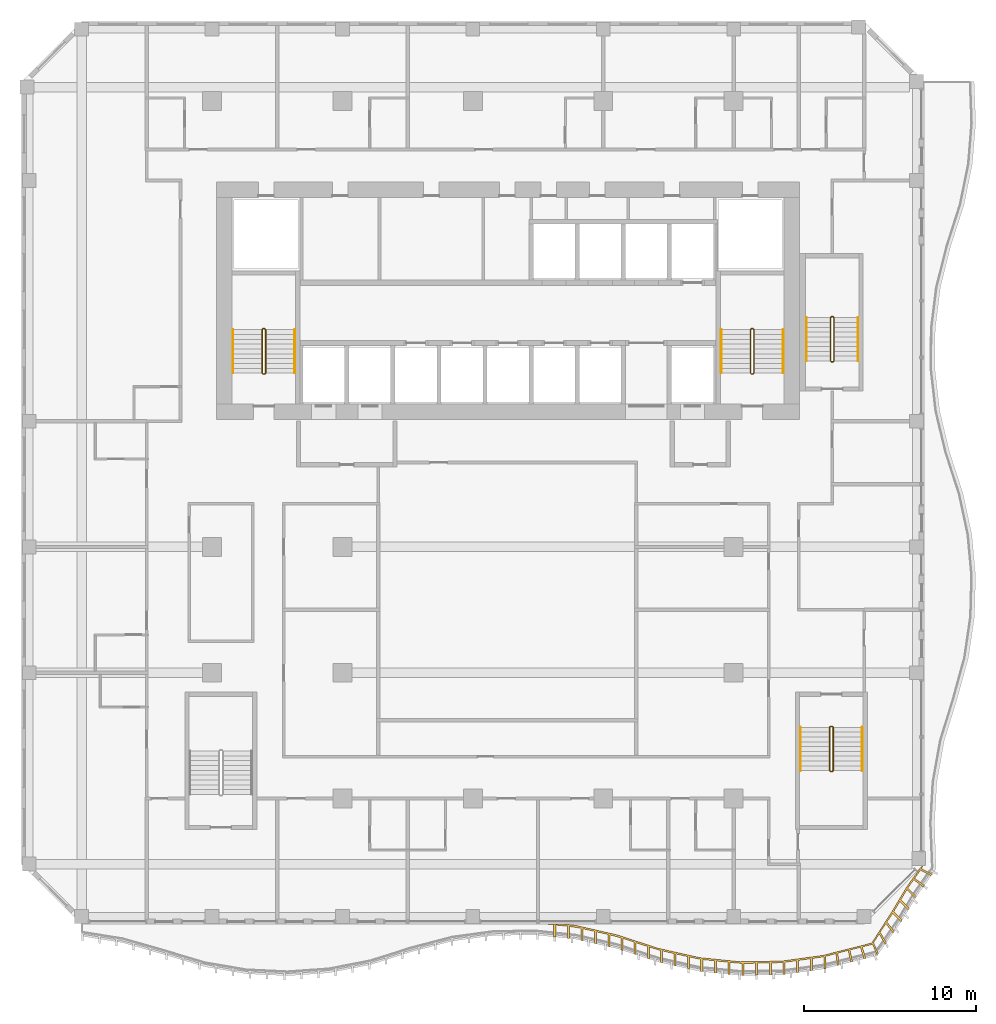
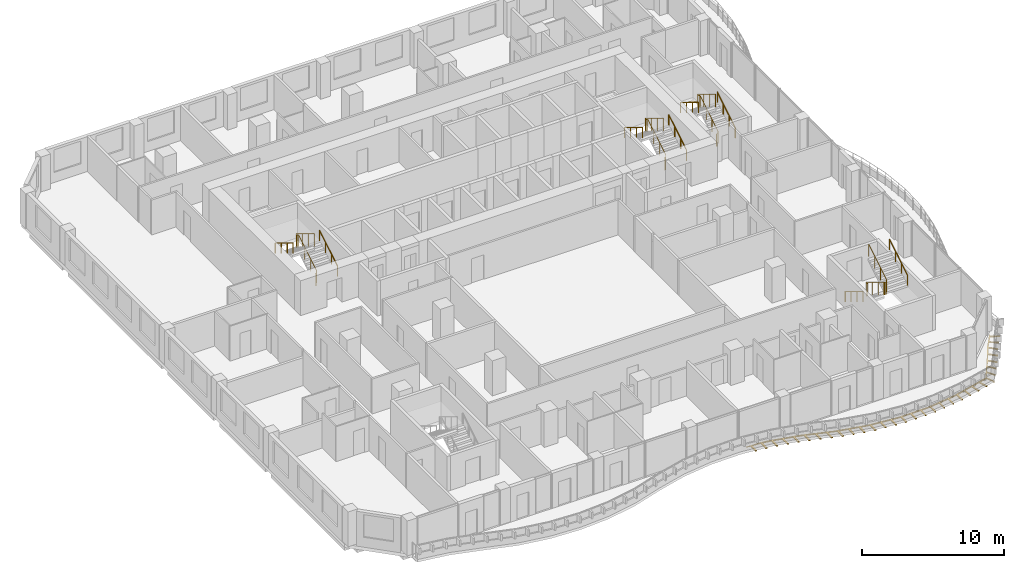
# One storey, part 23 of 23: 12 railings, 1 shading device.
"""IFC4 building model written with IfcOpenShell, lengths in metres."""

import ifcopenshell
import ifcopenshell.guid

model = None  # the IFC model being written
_history = None  # IfcOwnerHistory: only IFC2X3 demands one
_inside = {}  # id of a spatial element -> (the spatial element, [elements in it])
_under = {}  # id of a project, library or spatial element -> (it, [spatial elements below it])
_declared = {}  # id of a project -> (the project, [libraries it declares])
_typed = {}  # id of a type object -> (the type object, [elements of that type])
_made_of = {}  # id of a material, layer set ... -> (it, [elements and type objects made of it])


def new_model(schema):
    """Start an empty IFC model of exactly this schema.

    Asked for "IFC4X3", IfcOpenShell would pick the latest addendum, in which some entities
    have other attributes; the version numbers below select the first issue.
    IFC2X3 requires an IfcOwnerHistory on every rooted entity: one is made here for all.
    """
    global model, _history
    if schema == "IFC4X3":
        model = ifcopenshell.file(schema_version=(4, 3, 0, 0))
    else:
        model = ifcopenshell.file(schema=schema)
    _inside.clear()
    _under.clear()
    _declared.clear()
    _typed.clear()
    _made_of.clear()
    _history = None
    if model.schema == "IFC2X3":
        org = make("IfcOrganization", Name="unknown")
        user = make(
            "IfcPersonAndOrganization",
            ThePerson=make("IfcPerson", FamilyName="unknown"),
            TheOrganization=org,
        )
        app = make(
            "IfcApplication",
            ApplicationDeveloper=org,
            Version="unknown",
            ApplicationFullName="unknown",
            ApplicationIdentifier="unknown",
        )
        _history = make(
            "IfcOwnerHistory",
            OwningUser=user,
            OwningApplication=app,
            ChangeAction="ADDED",
            CreationDate=0,
        )
    return model


def make(cls, **values):
    """One entity of the class cls with the attributes given. An attribute that is None is left unset."""
    return model.create_entity(
        cls, **{name: value for name, value in values.items() if value is not None}
    )


def rooted(cls, **values):
    """An entity with a GlobalId (a new one), such as an element, a storey or a relation."""
    return make(cls, GlobalId=ifcopenshell.guid.new(), OwnerHistory=_history, **values)


def si_unit(unit_type, name, prefix=None):
    """IfcSIUnit, for example si_unit("LENGTHUNIT", "METRE", prefix="MILLI")."""
    return make("IfcSIUnit", UnitType=unit_type, Prefix=prefix, Name=name)


def assignment(units):
    """IfcUnitAssignment: the units of a project."""
    return None if units is None else make("IfcUnitAssignment", Units=units)


def point(xyz):
    """IfcCartesianPoint."""
    return None if xyz is None else make("IfcCartesianPoint", Coordinates=xyz)


def direction(xyz):
    """IfcDirection."""
    return None if xyz is None else make("IfcDirection", DirectionRatios=xyz)


def frame(location, z_axis=None, x_axis=None):
    """IfcAxis2Placement3D, a coordinate frame: its origin and axes. An axis left out is left unset."""
    return make(
        "IfcAxis2Placement3D",
        Location=point(location),
        Axis=direction(z_axis),
        RefDirection=direction(x_axis),
    )


def frame_2d(location, x_axis=None):
    """IfcAxis2Placement2D, a coordinate frame in the plane: its origin and x axis."""
    return make(
        "IfcAxis2Placement2D", Location=point(location), RefDirection=direction(x_axis)
    )


def origin():
    """The frame at (0, 0, 0) with its axes left unset."""
    return frame((0.0, 0.0, 0.0))


def origin_2d():
    """The frame at (0, 0) in the plane with its x axis left unset."""
    return frame_2d((0.0, 0.0))


def place(relative_to, where):
    """IfcLocalPlacement: puts the frame where relative to a parent placement (None: the world)."""
    return make(
        "IfcLocalPlacement", PlacementRelTo=relative_to, RelativePlacement=where
    )


def context(
    kind, dimensions, precision=None, world=None, true_north=None, identifier=None
):
    """IfcGeometricRepresentationContext, for example the 3D "Model" context."""
    return make(
        "IfcGeometricRepresentationContext",
        ContextIdentifier=identifier,
        ContextType=kind,
        CoordinateSpaceDimension=dimensions,
        Precision=precision,
        WorldCoordinateSystem=world,
        TrueNorth=true_north,
    )


def subcontext(parent, identifier, kind, view, scale=None):
    """IfcGeometricRepresentationSubContext, for example "Body" below "Model"."""
    return make(
        "IfcGeometricRepresentationSubContext",
        ContextIdentifier=identifier,
        ContextType=kind,
        ParentContext=parent,
        TargetScale=scale,
        TargetView=view,
    )


def project(units=None, contexts=None):
    """IfcProject with its units and contexts."""
    return rooted(
        "IfcProject",
        Name="project",
        RepresentationContexts=contexts,
        UnitsInContext=assignment(units),
    )


def spatial(cls, under=None, at=None, **own):
    """A site, building, storey or space (cls), placed at a placement, below another one or the project."""
    s = rooted(cls, ObjectPlacement=at, **own)
    if under is not None:
        _under.setdefault(under.id(), (under, []))[1].append(s)
    return s


def polyline(points):
    """IfcPolyline through the points."""
    return make("IfcPolyline", Points=[point(p) for p in points])


def profile(cls, at=None, kind="AREA", **sizes):
    """A parametric profile (cls). Its sizes go by their IFC names, for example OverallWidth=200.0."""
    return make(cls, ProfileType=kind, Position=at, **sizes)


def circle(**sizes):
    """IfcCircleProfileDef."""
    return profile("IfcCircleProfileDef", **sizes)


def outline(outer, holes=None, kind="AREA"):
    """IfcArbitraryClosedProfileDef: a profile drawn as a closed curve; with holes, ...WithVoids."""
    if holes is None:
        return make("IfcArbitraryClosedProfileDef", ProfileType=kind, OuterCurve=outer)
    return make(
        "IfcArbitraryProfileDefWithVoids",
        ProfileType=kind,
        OuterCurve=outer,
        InnerCurves=holes,
    )


def extrude(swept, where, along, depth):
    """IfcExtrudedAreaSolid: the profile swept, set in the frame where, extruded along a direction by depth."""
    return make(
        "IfcExtrudedAreaSolid",
        SweptArea=swept,
        Position=where,
        ExtrudedDirection=direction(along),
        Depth=depth,
    )


def shape(context_of_items, identifier, shape_type, items):
    """IfcShapeRepresentation: the items that make up one representation, for example the "Body"."""
    return make(
        "IfcShapeRepresentation",
        ContextOfItems=context_of_items,
        RepresentationIdentifier=identifier,
        RepresentationType=shape_type,
        Items=items,
    )


def source(mapping_origin, context_of_items, identifier, shape_type, items):
    """IfcRepresentationMap: a shape defined once, which mapped items show again and again."""
    return make(
        "IfcRepresentationMap",
        MappingOrigin=mapping_origin,
        MappedRepresentation=shape(context_of_items, identifier, shape_type, items),
    )


def transform(
    local_origin,
    x_axis=None,
    y_axis=None,
    z_axis=None,
    scale=None,
    scale2=None,
    scale3=None,
    uniform=True,
):
    """IfcCartesianTransformationOperator3D, or its non-uniform kind. x_axis, y_axis, z_axis: its Axis1, 2, 3."""
    if uniform:
        return make(
            "IfcCartesianTransformationOperator3D",
            Axis1=direction(x_axis),
            Axis2=direction(y_axis),
            LocalOrigin=point(local_origin),
            Scale=scale,
            Axis3=direction(z_axis),
        )
    return make(
        "IfcCartesianTransformationOperator3DnonUniform",
        Axis1=direction(x_axis),
        Axis2=direction(y_axis),
        LocalOrigin=point(local_origin),
        Scale=scale,
        Axis3=direction(z_axis),
        Scale2=scale2,
        Scale3=scale3,
    )


def mapped(mapping_source, mapping_target):
    """IfcMappedItem: shows the shape of a source again, moved by a transform."""
    return make(
        "IfcMappedItem", MappingSource=mapping_source, MappingTarget=mapping_target
    )


def material(Name=None, Category=None):
    """IfcMaterial."""
    return make("IfcMaterial", Name=Name, Category=Category)


def layer(
    of_material, thickness, ventilated=None, Name=None, Category=None, Priority=None
):
    """IfcMaterialLayer: one layer of a wall or slab, of a material (None: an air gap)."""
    return make(
        "IfcMaterialLayer",
        Material=of_material,
        LayerThickness=thickness,
        IsVentilated=ventilated,
        Name=Name,
        Category=Category,
        Priority=Priority,
    )


def layer_set(layers, Name=None):
    """IfcMaterialLayerSet."""
    return make("IfcMaterialLayerSet", MaterialLayers=layers, LayerSetName=Name)


def made_of(thing, what):
    """Note that an element or type object is made of a material, layer set ...; save() writes the relation."""
    if what is not None:
        _made_of.setdefault(what.id(), (what, []))[1].append(thing)
    return thing


def type_object(cls, material=None, **own):
    """A type object (cls), such as IfcWallType, which elements share."""
    return made_of(rooted(cls, **own), material)


def element(
    cls,
    number,
    at=None,
    inside=None,
    cuts=None,
    type_object=None,
    material=None,
    context=None,
    identifier="Body",
    shape_type=None,
    held_by="IfcProductDefinitionShape",
    body=None,
    shapes=None,
    **own,
):
    """One element of the class cls, such as IfcWall. Its Tag is "e" and its number.

    at: its placement. inside: the storey or other place that contains it. cuts: it is an
    opening in that element (IfcRelVoidsElement). A single representation is given by context,
    identifier, shape_type and body (its items); several are given by shapes. held_by: the class
    of the entity that holds the representations. save() writes the other relations.
    """
    e = rooted(cls, Tag="e%d" % number, ObjectPlacement=at, **own)
    if body is not None:
        shapes = [shape(context, identifier, shape_type, body)]
    if shapes is not None:
        e.Representation = make(held_by, Representations=shapes)
    if inside is not None:
        _inside.setdefault(inside.id(), (inside, []))[1].append(e)
    if cuts is not None:
        rooted(
            "IfcRelVoidsElement", RelatingBuildingElement=cuts, RelatedOpeningElement=e
        )
    if type_object is not None:
        _typed.setdefault(type_object.id(), (type_object, []))[1].append(e)
    return made_of(e, material)


def aggregate(whole, parts):
    """IfcRelAggregates: a whole, such as a stair, and the parts it consists of."""
    return rooted("IfcRelAggregates", RelatingObject=whole, RelatedObjects=parts)


def save(model, path):
    """Write the relations noted so far, then the file.

    IfcRelAggregates (storeys below a building ...), IfcRelContainedInSpatialStructure (elements
    in a storey), IfcRelDefinesByType, IfcRelAssociatesMaterial and IfcRelDeclares: one each for
    every whole, place, type object, material and project.
    """
    for whole, parts in _under.values():
        aggregate(whole, parts)
    for where, things in _inside.values():
        rooted(
            "IfcRelContainedInSpatialStructure",
            RelatedElements=things,
            RelatingStructure=where,
        )
    for kind, things in _typed.values():
        rooted("IfcRelDefinesByType", RelatedObjects=things, RelatingType=kind)
    for what, things in _made_of.values():
        rooted("IfcRelAssociatesMaterial", RelatedObjects=things, RelatingMaterial=what)
    for by, libraries in _declared.values():
        rooted("IfcRelDeclares", RelatingContext=by, RelatedDefinitions=libraries)
    model.write(path)


model = new_model("IFC4")

# Units and contexts
model_context = context("Model", 3, precision=1e-05, world=origin(), true_north=direction((0.0, 1.0)))
body_context = subcontext(model_context, "Body", "Model", "MODEL_VIEW")
ifc_project = project(units=[si_unit("LENGTHUNIT", "METRE"), si_unit("AREAUNIT", "SQUARE_METRE"), si_unit("VOLUMEUNIT", "CUBIC_METRE"), si_unit("PLANEANGLEUNIT", "RADIAN"), si_unit("MASSUNIT", "GRAM", prefix="KILO")], contexts=[model_context])

# Site, building, storey
site_placement = place(None, origin())
site = spatial("IfcSite", under=ifc_project, at=site_placement, CompositionType="ELEMENT")
building_placement = place(site_placement, origin())
building = spatial("IfcBuilding", under=site, at=building_placement, Name="Kilnfold Tower and Market Hall", CompositionType="ELEMENT")
storey_placement = place(building_placement, frame((0.0, 0.0, 160.89990234375)))
storey = spatial("IfcBuildingStorey", under=building, at=storey_placement, Name="L37", CompositionType="ELEMENT", Elevation=160.89990234375)

# Railings
ifc_material_1 = material(Name="Stainless steel 316", Category="steel")
railing_type_1 = type_object("IfcRailingType", Name="CORE STAIR GUARD 1100", PredefinedType="GUARDRAIL", material=ifc_material_1)
railing_1_placement = place(storey_placement, frame((-13.199951171875, 10.75, 0.0)))
element("IfcRailing", 1, at=railing_1_placement, inside=storey, type_object=railing_type_1, Name="L37 ST1 stair guard 1", PredefinedType="GUARDRAIL", context=body_context, shape_type="SweptSolid", body=[
    extrude(circle(Radius=0.02392578125, at=origin_2d()), frame((0.0, 0.0, 1.076171875), z_axis=(1.0, 0.0, 0.0), x_axis=(0.0, 1.0, 0.0)), (0.0, 0.0, 1.0), 0.099853515625),
    extrude(circle(Radius=0.02392578125, at=origin_2d()), frame((0.099853515625, 0.0, 1.076171875), z_axis=(0.271562723297, 0.271562723297, 0.923313259209), x_axis=(-0.707106781187, 0.707106781187, 0.0)), (0.0, 0.0, 1.0), 0.184326171875),
    extrude(circle(Radius=0.02392578125, at=origin_2d()), frame((0.14990234375, 0.050048828125, 1.24609375), z_axis=(0.0, 0.85478489116, 0.518982456201), x_axis=(-1.0, 0.0, 0.0)), (0.0, 0.0, 1.0), 2.9482421875),
    extrude(circle(Radius=0.02392578125, at=origin_2d()), frame((0.14990234375, 2.570068359375, 2.7763671875), z_axis=(-0.707106781187, 0.707106781187, 0.0), x_axis=(-0.707106781187, -0.707106781187, 0.0)), (0.0, 0.0, 1.0), 0.07080078125),
    extrude(circle(Radius=0.02392578125, at=origin_2d()), frame((0.099853515625, 2.6201171875, 2.7763671875), z_axis=(-1.0, 0.0, 0.0), x_axis=(0.0, -1.0, 0.0)), (0.0, 0.0, 1.0), 0.099853515625),
    extrude(circle(Radius=0.02392578125, at=origin_2d()), frame((0.0, 2.6201171875, 2.7763671875), z_axis=(-0.271895245746, -0.271895245746, 0.923117517265), x_axis=(0.707106781187, -0.707106781187, 0.0)), (0.0, 0.0, 1.0), 0.18408203125),
    extrude(circle(Radius=0.02392578125, at=origin_2d()), frame((-0.050048828125, 2.570068359375, 2.9462890625), z_axis=(0.0, -0.85478489116, 0.518982456201), x_axis=(1.0, 0.0, 0.0)), (0.0, 0.0, 1.0), 2.9482421875),
    extrude(circle(Radius=0.02099609375, at=origin_2d()), origin(), (0.0, 0.0, 1.0), 1.052001953125),
    extrude(circle(Radius=0.02099609375, at=origin_2d()), frame((0.099853515625, 0.0, 0.0)), (0.0, 0.0, 1.0), 1.052001953125),
    extrude(circle(Radius=0.02099609375, at=origin_2d()), frame((0.14990234375, 0.050048828125, 0.170166015625)), (0.0, 0.0, 1.0), 1.052001953125),
    extrude(circle(Radius=0.02099609375, at=origin_2d()), frame((0.14990234375, 0.89013671875, 0.68017578125)), (0.0, 0.0, 1.0), 1.052001953125),
    extrude(circle(Radius=0.02099609375, at=origin_2d()), frame((0.14990234375, 1.72998046875, 1.190185546875)), (0.0, 0.0, 1.0), 1.052001953125),
    extrude(circle(Radius=0.02099609375, at=origin_2d()), frame((0.14990234375, 2.570068359375, 1.7001953125)), (0.0, 0.0, 1.0), 1.052001953125),
    extrude(circle(Radius=0.02099609375, at=origin_2d()), frame((0.099853515625, 2.6201171875, 1.7001953125)), (0.0, 0.0, 1.0), 1.052001953125),
    extrude(circle(Radius=0.02099609375, at=origin_2d()), frame((0.0, 2.6201171875, 1.7001953125)), (0.0, 0.0, 1.0), 1.052001953125),
    extrude(circle(Radius=0.02099609375, at=origin_2d()), frame((-0.050048828125, 2.570068359375, 1.8701171875)), (0.0, 0.0, 1.0), 1.052001953125),
    extrude(circle(Radius=0.02099609375, at=origin_2d()), frame((-0.050048828125, 1.72998046875, 2.380126953125)), (0.0, 0.0, 1.0), 1.052001953125),
    extrude(circle(Radius=0.02099609375, at=origin_2d()), frame((-0.050048828125, 0.89013671875, 2.89013671875)), (0.0, 0.0, 1.0), 1.052001953125),
    extrude(circle(Radius=0.02099609375, at=origin_2d()), frame((-0.050048828125, 0.050048828125, 3.400146484375)), (0.0, 0.0, 1.0), 1.052001953125),
])
railing_2_placement = place(storey_placement, frame((15.199951171875, 10.75, 0.0)))
element("IfcRailing", 2, at=railing_2_placement, inside=storey, type_object=railing_type_1, Name="L37 ST2 stair guard 1", PredefinedType="GUARDRAIL", context=body_context, shape_type="SweptSolid", body=[
    extrude(circle(Radius=0.02392578125, at=origin_2d()), frame((0.0, 0.0, 1.076171875), z_axis=(1.0, 0.0, 0.0), x_axis=(0.0, 1.0, 0.0)), (0.0, 0.0, 1.0), 0.10009765625),
    extrude(circle(Radius=0.02392578125, at=origin_2d()), frame((0.10009765625, 0.0, 1.076171875), z_axis=(0.271562723297, 0.271562723297, 0.923313259209), x_axis=(-0.707106781187, 0.707106781187, 0.0)), (0.0, 0.0, 1.0), 0.184326171875),
    extrude(circle(Radius=0.02392578125, at=origin_2d()), frame((0.150146484375, 0.050048828125, 1.24609375), z_axis=(0.0, 0.85478489116, 0.518982456201), x_axis=(-1.0, 0.0, 0.0)), (0.0, 0.0, 1.0), 2.9482421875),
    extrude(circle(Radius=0.02392578125, at=origin_2d()), frame((0.150146484375, 2.570068359375, 2.7763671875), z_axis=(-0.707106781187, 0.707106781187, 0.0), x_axis=(-0.707106781187, -0.707106781187, 0.0)), (0.0, 0.0, 1.0), 0.07080078125),
    extrude(circle(Radius=0.02392578125, at=origin_2d()), frame((0.10009765625, 2.6201171875, 2.7763671875), z_axis=(-1.0, 0.0, 0.0), x_axis=(0.0, -1.0, 0.0)), (0.0, 0.0, 1.0), 0.10009765625),
    extrude(circle(Radius=0.02392578125, at=origin_2d()), frame((0.0, 2.6201171875, 2.7763671875), z_axis=(-0.271895245746, -0.271895245746, 0.923117517265), x_axis=(0.707106781187, -0.707106781187, 0.0)), (0.0, 0.0, 1.0), 0.18408203125),
    extrude(circle(Radius=0.02392578125, at=origin_2d()), frame((-0.050048828125, 2.570068359375, 2.9462890625), z_axis=(0.0, -0.85478489116, 0.518982456201), x_axis=(1.0, 0.0, 0.0)), (0.0, 0.0, 1.0), 2.9482421875),
    extrude(circle(Radius=0.02099609375, at=origin_2d()), origin(), (0.0, 0.0, 1.0), 1.052001953125),
    extrude(circle(Radius=0.02099609375, at=origin_2d()), frame((0.10009765625, 0.0, 0.0)), (0.0, 0.0, 1.0), 1.052001953125),
    extrude(circle(Radius=0.02099609375, at=origin_2d()), frame((0.150146484375, 0.050048828125, 0.170166015625)), (0.0, 0.0, 1.0), 1.052001953125),
    extrude(circle(Radius=0.02099609375, at=origin_2d()), frame((0.150146484375, 0.89013671875, 0.68017578125)), (0.0, 0.0, 1.0), 1.052001953125),
    extrude(circle(Radius=0.02099609375, at=origin_2d()), frame((0.150146484375, 1.72998046875, 1.190185546875)), (0.0, 0.0, 1.0), 1.052001953125),
    extrude(circle(Radius=0.02099609375, at=origin_2d()), frame((0.150146484375, 2.570068359375, 1.7001953125)), (0.0, 0.0, 1.0), 1.052001953125),
    extrude(circle(Radius=0.02099609375, at=origin_2d()), frame((0.10009765625, 2.6201171875, 1.7001953125)), (0.0, 0.0, 1.0), 1.052001953125),
    extrude(circle(Radius=0.02099609375, at=origin_2d()), frame((0.0, 2.6201171875, 1.7001953125)), (0.0, 0.0, 1.0), 1.052001953125),
    extrude(circle(Radius=0.02099609375, at=origin_2d()), frame((-0.050048828125, 2.570068359375, 1.8701171875)), (0.0, 0.0, 1.0), 1.052001953125),
    extrude(circle(Radius=0.02099609375, at=origin_2d()), frame((-0.050048828125, 1.72998046875, 2.380126953125)), (0.0, 0.0, 1.0), 1.052001953125),
    extrude(circle(Radius=0.02099609375, at=origin_2d()), frame((-0.050048828125, 0.89013671875, 2.89013671875)), (0.0, 0.0, 1.0), 1.052001953125),
    extrude(circle(Radius=0.02099609375, at=origin_2d()), frame((-0.050048828125, 0.050048828125, 3.400146484375)), (0.0, 0.0, 1.0), 1.052001953125),
])
railing_3_placement = place(storey_placement, frame((19.89990234375, -9.75, 0.0)))
element("IfcRailing", 3, at=railing_3_placement, inside=storey, type_object=railing_type_1, Name="L37 ST4 stair guard 1", PredefinedType="GUARDRAIL", context=body_context, shape_type="SweptSolid", body=[
    extrude(circle(Radius=0.02392578125, at=origin_2d()), frame((0.0, 0.0, 1.076171875), z_axis=(-1.0, 0.0, 0.0), x_axis=(0.0, -1.0, 0.0)), (0.0, 0.0, 1.0), 0.099853515625),
    extrude(circle(Radius=0.02392578125, at=origin_2d()), frame((-0.099853515625, 0.0, 1.076171875), z_axis=(-0.271562723297, -0.271562723297, 0.923313259209), x_axis=(0.707106781187, -0.707106781187, 0.0)), (0.0, 0.0, 1.0), 0.184326171875),
    extrude(circle(Radius=0.02392578125, at=origin_2d()), frame((-0.14990234375, -0.050048828125, 1.24609375), z_axis=(0.0, -0.85478489116, 0.518982456201), x_axis=(1.0, 0.0, 0.0)), (0.0, 0.0, 1.0), 2.9482421875),
    extrude(circle(Radius=0.02392578125, at=origin_2d()), frame((-0.14990234375, -2.570068359375, 2.7763671875), z_axis=(0.707106781187, -0.707106781187, 0.0), x_axis=(0.707106781187, 0.707106781187, 0.0)), (0.0, 0.0, 1.0), 0.07080078125),
    extrude(circle(Radius=0.02392578125, at=origin_2d()), frame((-0.099853515625, -2.6201171875, 2.7763671875), z_axis=(1.0, 0.0, 0.0), x_axis=(0.0, 1.0, 0.0)), (0.0, 0.0, 1.0), 0.099853515625),
    extrude(circle(Radius=0.02392578125, at=origin_2d()), frame((0.0, -2.6201171875, 2.7763671875), z_axis=(0.271895245746, 0.271895245746, 0.923117517265), x_axis=(-0.707106781187, 0.707106781187, 0.0)), (0.0, 0.0, 1.0), 0.18408203125),
    extrude(circle(Radius=0.02392578125, at=origin_2d()), frame((0.050048828125, -2.570068359375, 2.9462890625), z_axis=(0.0, 0.85478489116, 0.518982456201), x_axis=(-1.0, 0.0, 0.0)), (0.0, 0.0, 1.0), 2.9482421875),
    extrude(circle(Radius=0.02099609375, at=origin_2d()), origin(), (0.0, 0.0, 1.0), 1.052001953125),
    extrude(circle(Radius=0.02099609375, at=origin_2d()), frame((-0.099853515625, 0.0, 0.0)), (0.0, 0.0, 1.0), 1.052001953125),
    extrude(circle(Radius=0.02099609375, at=origin_2d()), frame((-0.14990234375, -0.050048828125, 0.170166015625)), (0.0, 0.0, 1.0), 1.052001953125),
    extrude(circle(Radius=0.02099609375, at=origin_2d()), frame((-0.14990234375, -0.89013671875, 0.68017578125)), (0.0, 0.0, 1.0), 1.052001953125),
    extrude(circle(Radius=0.02099609375, at=origin_2d()), frame((-0.14990234375, -1.72998046875, 1.190185546875)), (0.0, 0.0, 1.0), 1.052001953125),
    extrude(circle(Radius=0.02099609375, at=origin_2d()), frame((-0.14990234375, -2.570068359375, 1.7001953125)), (0.0, 0.0, 1.0), 1.052001953125),
    extrude(circle(Radius=0.02099609375, at=origin_2d()), frame((-0.099853515625, -2.6201171875, 1.7001953125)), (0.0, 0.0, 1.0), 1.052001953125),
    extrude(circle(Radius=0.02099609375, at=origin_2d()), frame((0.0, -2.6201171875, 1.7001953125)), (0.0, 0.0, 1.0), 1.052001953125),
    extrude(circle(Radius=0.02099609375, at=origin_2d()), frame((0.050048828125, -2.570068359375, 1.8701171875)), (0.0, 0.0, 1.0), 1.052001953125),
    extrude(circle(Radius=0.02099609375, at=origin_2d()), frame((0.050048828125, -1.72998046875, 2.380126953125)), (0.0, 0.0, 1.0), 1.052001953125),
    extrude(circle(Radius=0.02099609375, at=origin_2d()), frame((0.050048828125, -0.89013671875, 2.89013671875)), (0.0, 0.0, 1.0), 1.052001953125),
    extrude(circle(Radius=0.02099609375, at=origin_2d()), frame((0.050048828125, -0.050048828125, 3.400146484375)), (0.0, 0.0, 1.0), 1.052001953125),
])
railing_4_placement = place(storey_placement, frame((19.85009765625, 11.449951171875, 0.0)))
element("IfcRailing", 4, at=railing_4_placement, inside=storey, type_object=railing_type_1, Name="L37 ST5 stair guard 1", PredefinedType="GUARDRAIL", context=body_context, shape_type="SweptSolid", body=[
    extrude(circle(Radius=0.02392578125, at=origin_2d()), frame((0.0, 0.0, 1.076171875), z_axis=(1.0, 0.0, 0.0), x_axis=(0.0, 1.0, 0.0)), (0.0, 0.0, 1.0), 0.099853515625),
    extrude(circle(Radius=0.02392578125, at=origin_2d()), frame((0.099853515625, 0.0, 1.076171875), z_axis=(0.271562723297, 0.271562723297, 0.923313259209), x_axis=(-0.707106781187, 0.707106781187, 0.0)), (0.0, 0.0, 1.0), 0.184326171875),
    extrude(circle(Radius=0.02392578125, at=origin_2d()), frame((0.14990234375, 0.050048828125, 1.24609375), z_axis=(0.0, 0.85478489116, 0.518982456201), x_axis=(-1.0, 0.0, 0.0)), (0.0, 0.0, 1.0), 2.9482421875),
    extrude(circle(Radius=0.02392578125, at=origin_2d()), frame((0.14990234375, 2.570068359375, 2.7763671875), z_axis=(-0.707106781187, 0.707106781187, 0.0), x_axis=(-0.707106781187, -0.707106781187, 0.0)), (0.0, 0.0, 1.0), 0.07080078125),
    extrude(circle(Radius=0.02392578125, at=origin_2d()), frame((0.099853515625, 2.6201171875, 2.7763671875), z_axis=(-1.0, 0.0, 0.0), x_axis=(0.0, -1.0, 0.0)), (0.0, 0.0, 1.0), 0.099853515625),
    extrude(circle(Radius=0.02392578125, at=origin_2d()), frame((0.0, 2.6201171875, 2.7763671875), z_axis=(-0.271895245746, -0.271895245746, 0.923117517265), x_axis=(0.707106781187, -0.707106781187, 0.0)), (0.0, 0.0, 1.0), 0.18408203125),
    extrude(circle(Radius=0.02392578125, at=origin_2d()), frame((-0.050048828125, 2.570068359375, 2.9462890625), z_axis=(0.0, -0.85478489116, 0.518982456201), x_axis=(1.0, 0.0, 0.0)), (0.0, 0.0, 1.0), 2.9482421875),
    extrude(circle(Radius=0.02099609375, at=origin_2d()), origin(), (0.0, 0.0, 1.0), 1.052001953125),
    extrude(circle(Radius=0.02099609375, at=origin_2d()), frame((0.099853515625, 0.0, 0.0)), (0.0, 0.0, 1.0), 1.052001953125),
    extrude(circle(Radius=0.02099609375, at=origin_2d()), frame((0.14990234375, 0.050048828125, 0.170166015625)), (0.0, 0.0, 1.0), 1.052001953125),
    extrude(circle(Radius=0.02099609375, at=origin_2d()), frame((0.14990234375, 0.89013671875, 0.68017578125)), (0.0, 0.0, 1.0), 1.052001953125),
    extrude(circle(Radius=0.02099609375, at=origin_2d()), frame((0.14990234375, 1.72998046875, 1.190185546875)), (0.0, 0.0, 1.0), 1.052001953125),
    extrude(circle(Radius=0.02099609375, at=origin_2d()), frame((0.14990234375, 2.570068359375, 1.7001953125)), (0.0, 0.0, 1.0), 1.052001953125),
    extrude(circle(Radius=0.02099609375, at=origin_2d()), frame((0.099853515625, 2.6201171875, 1.7001953125)), (0.0, 0.0, 1.0), 1.052001953125),
    extrude(circle(Radius=0.02099609375, at=origin_2d()), frame((0.0, 2.6201171875, 1.7001953125)), (0.0, 0.0, 1.0), 1.052001953125),
    extrude(circle(Radius=0.02099609375, at=origin_2d()), frame((-0.050048828125, 2.570068359375, 1.8701171875)), (0.0, 0.0, 1.0), 1.052001953125),
    extrude(circle(Radius=0.02099609375, at=origin_2d()), frame((-0.050048828125, 1.72998046875, 2.380126953125)), (0.0, 0.0, 1.0), 1.052001953125),
    extrude(circle(Radius=0.02099609375, at=origin_2d()), frame((-0.050048828125, 0.89013671875, 2.89013671875)), (0.0, 0.0, 1.0), 1.052001953125),
    extrude(circle(Radius=0.02099609375, at=origin_2d()), frame((-0.050048828125, 0.050048828125, 3.400146484375)), (0.0, 0.0, 1.0), 1.052001953125),
])
ifc_material_2 = material(Name="Stainless steel 316", Category="steel")
railing_type_2 = type_object("IfcRailingType", Name="CORE STAIR HANDRAIL 900", PredefinedType="HANDRAIL", material=ifc_material_2)
railing_5_placement = place(storey_placement, frame((-11.35009765625, 10.800048828125, 0.170166015625)))
element("IfcRailing", 5, at=railing_5_placement, inside=storey, type_object=railing_type_2, Name="L37 ST1 stair handrail 1", PredefinedType="HANDRAIL", context=body_context, shape_type="SweptSolid", body=[
    extrude(circle(Radius=0.02392578125, at=origin_2d()), frame((0.0, 0.0, 0.8759765625), z_axis=(0.0, 0.85478489116, 0.518982456201), x_axis=(-1.0, 0.0, 0.0)), (0.0, 0.0, 1.0), 2.9482421875),
    extrude(circle(Radius=0.02099609375, at=origin_2d()), origin(), (0.0, 0.0, 1.0), 0.851806640625),
    extrude(circle(Radius=0.02099609375, at=origin_2d()), frame((0.0, 0.840087890625, 0.510009765625)), (0.0, 0.0, 1.0), 0.851806640625),
    extrude(circle(Radius=0.02099609375, at=origin_2d()), frame((0.0, 1.679931640625, 1.02001953125)), (0.0, 0.0, 1.0), 0.851806640625),
    extrude(circle(Radius=0.02099609375, at=origin_2d()), frame((0.0, 2.52001953125, 1.530029296875)), (0.0, 0.0, 1.0), 0.851806640625),
])
railing_6_placement = place(storey_placement, frame((-14.949951171875, 13.320068359375, 1.8701171875)))
element("IfcRailing", 6, at=railing_6_placement, inside=storey, type_object=railing_type_2, Name="L37 ST1 stair handrail 2", PredefinedType="HANDRAIL", context=body_context, shape_type="SweptSolid", body=[
    extrude(circle(Radius=0.02392578125, at=origin_2d()), frame((0.0, 0.0, 0.8759765625), z_axis=(0.0, -0.85478489116, 0.518982456201), x_axis=(1.0, 0.0, 0.0)), (0.0, 0.0, 1.0), 2.9482421875),
    extrude(circle(Radius=0.02099609375, at=origin_2d()), origin(), (0.0, 0.0, 1.0), 0.851806640625),
    extrude(circle(Radius=0.02099609375, at=origin_2d()), frame((0.0, -0.840087890625, 0.510009765625)), (0.0, 0.0, 1.0), 0.851806640625),
    extrude(circle(Radius=0.02099609375, at=origin_2d()), frame((0.0, -1.679931640625, 1.02001953125)), (0.0, 0.0, 1.0), 0.851806640625),
    extrude(circle(Radius=0.02099609375, at=origin_2d()), frame((0.0, -2.52001953125, 1.530029296875)), (0.0, 0.0, 1.0), 0.851806640625),
])
railing_7_placement = place(storey_placement, frame((17.050048828125, 10.800048828125, 0.170166015625)))
element("IfcRailing", 7, at=railing_7_placement, inside=storey, type_object=railing_type_2, Name="L37 ST2 stair handrail 1", PredefinedType="HANDRAIL", context=body_context, shape_type="SweptSolid", body=[
    extrude(circle(Radius=0.02392578125, at=origin_2d()), frame((0.0, 0.0, 0.8759765625), z_axis=(0.0, 0.85478489116, 0.518982456201), x_axis=(-1.0, 0.0, 0.0)), (0.0, 0.0, 1.0), 2.9482421875),
    extrude(circle(Radius=0.02099609375, at=origin_2d()), origin(), (0.0, 0.0, 1.0), 0.851806640625),
    extrude(circle(Radius=0.02099609375, at=origin_2d()), frame((0.0, 0.840087890625, 0.510009765625)), (0.0, 0.0, 1.0), 0.851806640625),
    extrude(circle(Radius=0.02099609375, at=origin_2d()), frame((0.0, 1.679931640625, 1.02001953125)), (0.0, 0.0, 1.0), 0.851806640625),
    extrude(circle(Radius=0.02099609375, at=origin_2d()), frame((0.0, 2.52001953125, 1.530029296875)), (0.0, 0.0, 1.0), 0.851806640625),
])
for number, where, name in (
    (8, (13.449951171875, 13.320068359375, 1.8701171875), "L37 ST2 stair handrail 2"),
    (9, (18.050048828125, -9.800048828125, 0.170166015625), "L37 ST4 stair handrail 1"),
):
    element("IfcRailing", number, at=place(storey_placement, frame(where)), inside=storey, type_object=railing_type_2, Name=name, PredefinedType="HANDRAIL", context=body_context, shape_type="SweptSolid", body=[
        extrude(circle(Radius=0.02392578125, at=origin_2d()), frame((0.0, 0.0, 0.8759765625), z_axis=(0.0, -0.85478489116, 0.518982456201), x_axis=(1.0, 0.0, 0.0)), (0.0, 0.0, 1.0), 2.9482421875),
        extrude(circle(Radius=0.02099609375, at=origin_2d()), origin(), (0.0, 0.0, 1.0), 0.851806640625),
        extrude(circle(Radius=0.02099609375, at=origin_2d()), frame((0.0, -0.840087890625, 0.510009765625)), (0.0, 0.0, 1.0), 0.851806640625),
        extrude(circle(Radius=0.02099609375, at=origin_2d()), frame((0.0, -1.679931640625, 1.02001953125)), (0.0, 0.0, 1.0), 0.851806640625),
        extrude(circle(Radius=0.02099609375, at=origin_2d()), frame((0.0, -2.52001953125, 1.530029296875)), (0.0, 0.0, 1.0), 0.851806640625),
    ])
for number, where, name in (
    (10, (21.64990234375, -12.320068359375, 1.8701171875), "L37 ST4 stair handrail 2"),
    (11, (21.39990234375, 11.5, 0.170166015625), "L37 ST5 stair handrail 1"),
):
    element("IfcRailing", number, at=place(storey_placement, frame(where)), inside=storey, type_object=railing_type_2, Name=name, PredefinedType="HANDRAIL", context=body_context, shape_type="SweptSolid", body=[
        extrude(circle(Radius=0.02392578125, at=origin_2d()), frame((0.0, 0.0, 0.8759765625), z_axis=(0.0, 0.85478489116, 0.518982456201), x_axis=(-1.0, 0.0, 0.0)), (0.0, 0.0, 1.0), 2.9482421875),
        extrude(circle(Radius=0.02099609375, at=origin_2d()), origin(), (0.0, 0.0, 1.0), 0.851806640625),
        extrude(circle(Radius=0.02099609375, at=origin_2d()), frame((0.0, 0.840087890625, 0.510009765625)), (0.0, 0.0, 1.0), 0.851806640625),
        extrude(circle(Radius=0.02099609375, at=origin_2d()), frame((0.0, 1.679931640625, 1.02001953125)), (0.0, 0.0, 1.0), 0.851806640625),
        extrude(circle(Radius=0.02099609375, at=origin_2d()), frame((0.0, 2.52001953125, 1.530029296875)), (0.0, 0.0, 1.0), 0.851806640625),
    ])
railing_8_placement = place(storey_placement, frame((18.39990234375, 14.02001953125, 1.8701171875)))
element("IfcRailing", 12, at=railing_8_placement, inside=storey, type_object=railing_type_2, Name="L37 ST5 stair handrail 2", PredefinedType="HANDRAIL", context=body_context, shape_type="SweptSolid", body=[
    extrude(circle(Radius=0.02392578125, at=origin_2d()), frame((0.0, 0.0, 0.8759765625), z_axis=(0.0, -0.85478489116, 0.518982456201), x_axis=(1.0, 0.0, 0.0)), (0.0, 0.0, 1.0), 2.9482421875),
    extrude(circle(Radius=0.02099609375, at=origin_2d()), origin(), (0.0, 0.0, 1.0), 0.851806640625),
    extrude(circle(Radius=0.02099609375, at=origin_2d()), frame((0.0, -0.840087890625, 0.510009765625)), (0.0, 0.0, 1.0), 0.851806640625),
    extrude(circle(Radius=0.02099609375, at=origin_2d()), frame((0.0, -1.679931640625, 1.02001953125)), (0.0, 0.0, 1.0), 0.851806640625),
    extrude(circle(Radius=0.02099609375, at=origin_2d()), frame((0.0, -2.52001953125, 1.530029296875)), (0.0, 0.0, 1.0), 0.851806640625),
])

# Shading device
ifc_material_3 = material(Name="Bronze anodised aluminium", Category="aluminium")
ifc_layer = layer(ifc_material_3, 0.080078125)
ifc_layer_set = layer_set([ifc_layer], Name="Bronze anodised aluminium")
shading_device_type = type_object("IfcShadingDeviceType", Name="BRONZE SLAT SOFFIT 80", PredefinedType="USERDEFINED", material=ifc_layer_set)
shared_shape = source(origin(), body_context, "Body", "SweptSolid", [
    extrude(outline(polyline([(4.98681640625, -21.318603515625), (7.381591796875, -21.864990234375), (9.7763671875, -22.646484375), (12.171142578125, -23.187744140625), (14.56591796875, -23.43212890625), (16.96044921875, -23.390625), (19.355224609375, -23.06103515625), (22.201171875, -22.339111328125), (23.36083984375, -20.52734375), (24.2353515625, -19.068603515625), (25.017578125, -17.982421875), (25.156494140625, -17.843505859375), (25.099365234375, -18.022216796875), (25.724853515625, -18.33642578125), (25.6552734375, -18.43408203125), (25.03759765625, -18.10498046875), (24.694091796875, -18.577392578125), (25.260986328125, -18.988037109375), (25.19140625, -19.0859375), (24.634765625, -18.66162109375), (24.302490234375, -19.145263671875), (24.797607421875, -19.64013671875), (24.73583984375, -19.7431640625), (24.24072265625, -19.248291015625), (23.89111328125, -19.831298828125), (24.38623046875, -20.326416015625), (24.324462890625, -20.42919921875), (23.82958984375, -19.934326171875), (23.479736328125, -20.517578125), (23.974853515625, -21.012451171875), (23.911376953125, -21.1142578125), (23.41845703125, -20.6171875), (23.07958984375, -21.119873046875), (23.515869140625, -21.66748046875), (23.446044921875, -21.76513671875), (23.020751953125, -21.209228515625), (22.689208984375, -21.71875), (23.050537109375, -22.318115234375), (22.980712890625, -22.415771484375), (22.631103515625, -21.809326171875), (22.3037109375, -22.328125), (22.585205078125, -22.968994140625), (22.515380859375, -23.066650390625), (22.24609375, -22.42041015625), (21.6455078125, -22.57275390625), (21.861083984375, -23.23876953125), (21.74462890625, -23.267578125), (21.538818359375, -22.5986328125), (20.934814453125, -22.747802734375), (21.084716796875, -23.431396484375), (20.96826171875, -23.46044921875), (20.828369140625, -22.7744140625), (20.225830078125, -22.92919921875), (20.308349609375, -23.624267578125), (20.19189453125, -23.6533203125), (20.11962890625, -22.95703125), (19.516845703125, -23.1171875), (19.53173828125, -23.817138671875), (19.415283203125, -23.84619140625), (19.410400390625, -23.14599609375), (18.742919921875, -23.245361328125), (18.742919921875, -23.9453125), (18.6240234375, -23.961669921875), (18.6240234375, -23.26171875), (17.950439453125, -23.3544921875), (17.950439453125, -24.054443359375), (17.83154296875, -24.07080078125), (17.83154296875, -23.37060546875), (17.157958984375, -23.46337890625), (17.157958984375, -24.163330078125), (17.0390625, -24.1796875), (17.0390625, -23.479736328125), (16.35986328125, -23.5009765625), (16.35986328125, -24.200927734375), (16.239990234375, -24.203125), (16.239990234375, -23.503173828125), (15.56005859375, -23.514892578125), (15.56005859375, -24.21484375), (15.43994140625, -24.217041015625), (15.43994140625, -23.51708984375), (14.760009765625, -23.52880859375), (14.760009765625, -24.228759765625), (14.64013671875, -24.23095703125), (14.64013671875, -23.531005859375), (13.96337890625, -23.470703125), (13.96337890625, -24.170654296875), (13.843994140625, -24.158447265625), (13.843994140625, -23.45849609375), (13.16748046875, -23.389404296875), (13.16748046875, -24.08935546875), (13.048095703125, -24.0771484375), (13.048095703125, -23.377197265625), (12.37158203125, -23.30810546875), (12.37158203125, -24.00830078125), (12.252197265625, -23.99609375), (12.252197265625, -23.2958984375), (11.58740234375, -23.15576171875), (11.58740234375, -23.855712890625), (11.47021484375, -23.829345703125), (11.47021484375, -23.12939453125), (10.806884765625, -22.9794921875), (10.806884765625, -23.679443359375), (10.68994140625, -23.65283203125), (10.68994140625, -22.952880859375), (10.026611328125, -22.802978515625), (10.026611328125, -23.5029296875), (9.90966796875, -23.4765625), (9.90966796875, -22.776611328125), (9.259765625, -22.577880859375), (9.259765625, -23.27783203125), (9.145751953125, -23.240478515625), (9.145751953125, -22.54052734375), (8.499267578125, -22.32958984375), (8.499267578125, -23.02978515625), (8.38525390625, -22.992431640625), (8.38525390625, -22.29248046875), (7.73876953125, -22.08154296875), (7.73876953125, -22.781494140625), (7.624755859375, -22.744140625), (7.624755859375, -22.044189453125), (6.968017578125, -21.87060546875), (6.968017578125, -22.570556640625), (6.850830078125, -22.543701171875), (6.850830078125, -21.84375), (6.18798828125, -21.692626953125), (6.18798828125, -22.392578125), (6.071044921875, -22.365966796875), (6.071044921875, -21.666015625), (5.407958984375, -21.5146484375), (5.407958984375, -22.214599609375), (5.291015625, -22.18798828125), (5.291015625, -21.488037109375), (4.620849609375, -21.380615234375), (4.620849609375, -22.08056640625), (4.50146484375, -22.068115234375), (4.50146484375, -21.3681640625), (3.8251953125, -21.2978515625), (3.8251953125, -21.997802734375), (3.705810546875, -21.9853515625), (3.705810546875, -21.285400390625), (3.365966796875, -21.25), (4.327392578125, -21.25), (4.98681640625, -21.318603515625)])), origin(), (0.0, 0.0, 1.0), 0.079833984375),
])
shading_device_placement = place(storey_placement, frame((0.0, 0.0, -0.2998046875)))
element("IfcShadingDevice", 13, at=shading_device_placement, inside=storey, type_object=shading_device_type, Name="Balcony soffit slats L37", ObjectType="SLAT", PredefinedType="USERDEFINED", context=body_context, shape_type="MappedRepresentation", body=[
    mapped(shared_shape, transform((0.0, 0.0, 0.0))),
])

save(model, "model.ifc")
